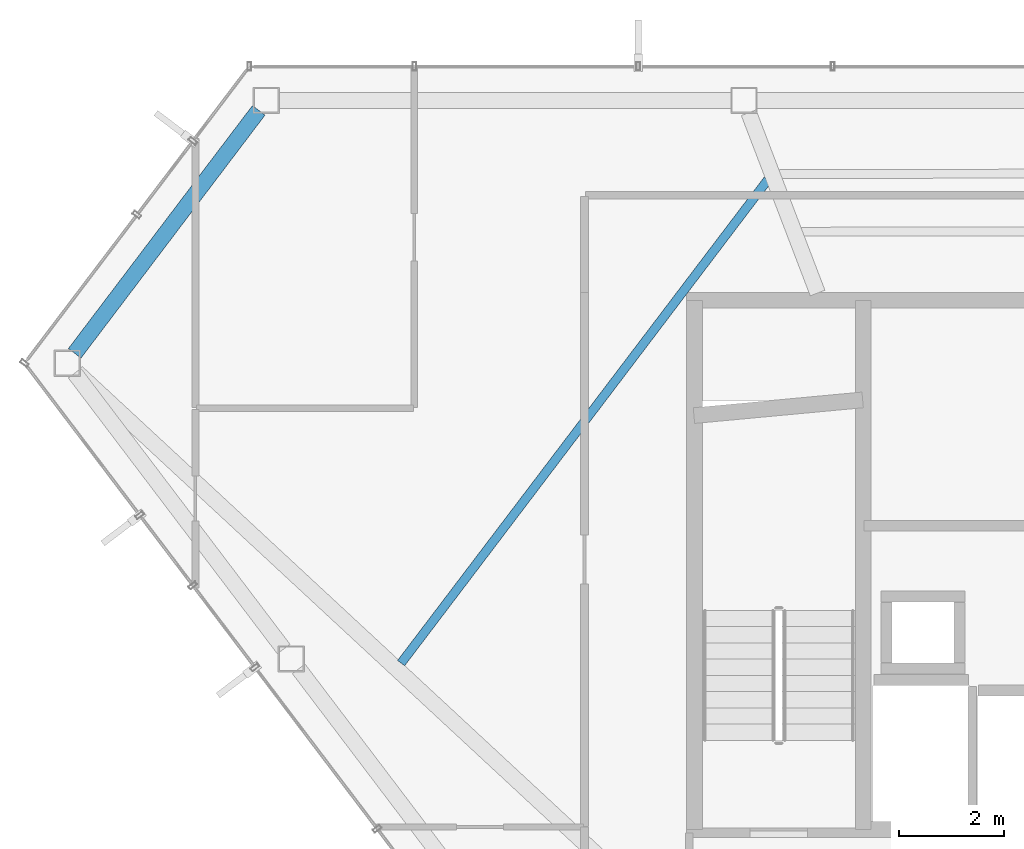
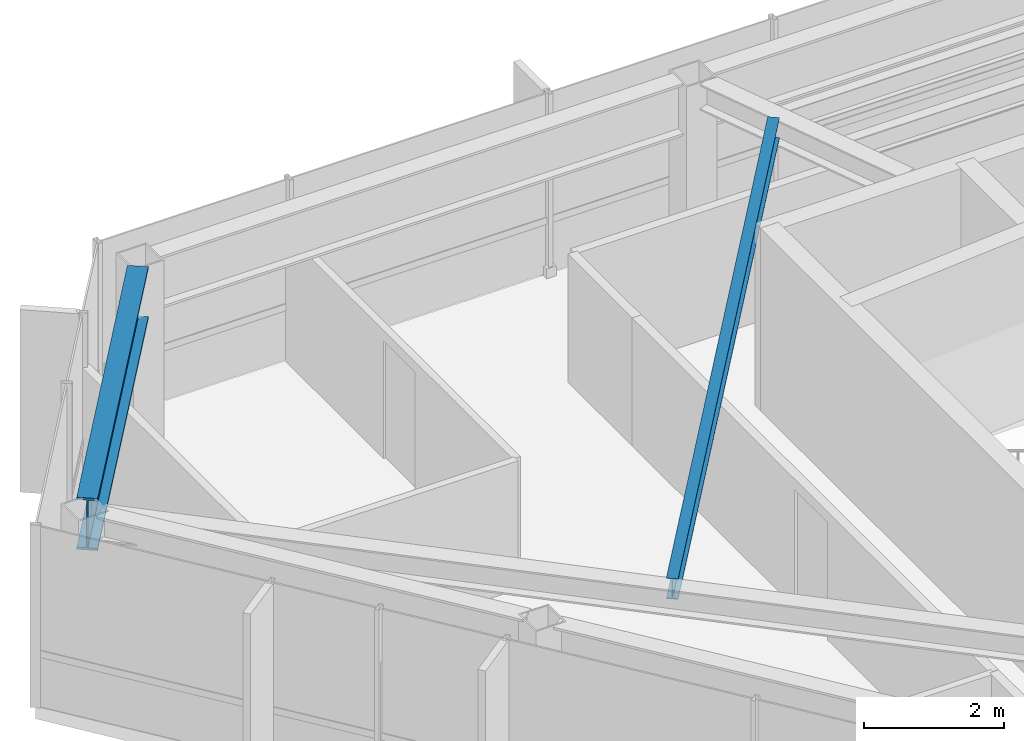
# One storey, part 9 of 26: 2 beams.
"""IFC4 building model written with IfcOpenShell, lengths in metres."""

from ifc_helpers import new_model, si_unit, direction, frame, origin, origin_2d, place, context, subcontext, project, spatial, i_section, extrude, material, material_profile, profile_set, type_object, element, save


model = new_model("IFC4")

# Units and contexts
model_context = context("Model", 3, precision=1e-05, world=origin(), true_north=direction((0.0, 1.0)))
body_context = subcontext(model_context, "Body", "Model", "MODEL_VIEW")
ifc_project = project(units=[si_unit("LENGTHUNIT", "METRE"), si_unit("AREAUNIT", "SQUARE_METRE"), si_unit("VOLUMEUNIT", "CUBIC_METRE"), si_unit("PLANEANGLEUNIT", "RADIAN"), si_unit("MASSUNIT", "GRAM", prefix="KILO")], contexts=[model_context])

# Site, building, storey
site_placement = place(None, origin())
site = spatial("IfcSite", under=ifc_project, at=site_placement, CompositionType="ELEMENT")
building_placement = place(site_placement, origin())
building = spatial("IfcBuilding", under=site, at=building_placement, Name="Zarrinselat Tower", CompositionType="ELEMENT")
storey_placement = place(building_placement, frame((0.0, 0.0, 258.39990234375)))
storey = spatial("IfcBuildingStorey", under=building, at=storey_placement, Name="L65", CompositionType="ELEMENT", Elevation=258.39990234375)

# Beams
ifc_material_1 = material(Name="Steel S460M", Category="steel")
ifc_material_profile_1 = material_profile(ifc_material_1, i_section(OverallWidth=0.302001953125, OverallDepth=0.909912109375, WebThickness=0.02099609375, FlangeThickness=0.0400390625, at=origin_2d()), Name="HEM 900")
ifc_profile_set_1 = profile_set([ifc_material_profile_1], Name="Steel S460M")
beam_type_1 = type_object("IfcBeamType", Name="BM-HEM900", PredefinedType="BEAM", material=ifc_profile_set_1)
beam_1_placement = place(storey_placement, frame((16.819091796875, 42.38916015625, 2.72509765625), z_axis=(0.603839915013, 0.797105612223, 0.0), x_axis=(-0.797105612223, 0.603839915013, 0.0)))
element("IfcBeam", 1, at=beam_1_placement, inside=storey, type_object=beam_type_1, Name="L65 Perimeter Spandrel Girder SP05", PredefinedType="BEAM", context=body_context, shape_type="SweptSolid", body=[
    extrude(i_section(OverallWidth=0.302001953125, OverallDepth=0.909912109375, WebThickness=0.02099609375, FlangeThickness=0.0400390625, at=origin_2d()), origin(), (0.0, 0.0, 1.0), 5.818359375),
])
ifc_material_2 = material(Name="Steel S355J2", Category="steel")
ifc_material_profile_2 = material_profile(ifc_material_2, i_section(OverallWidth=0.169921875, OverallDepth=0.360107421875, WebThickness=0.008056640625, FlangeThickness=0.0126953125, at=origin_2d()), Name="IPE 360")
ifc_profile_set_2 = profile_set([ifc_material_profile_2], Name="Steel S355J2")
beam_type_2 = type_object("IfcBeamType", Name="BM-IPE360", PredefinedType="JOIST", material=ifc_profile_set_2)
beam_2_placement = place(storey_placement, frame((23.050048828125, 36.475830078125, 3.0), z_axis=(0.604393865756, 0.796685668904, 0.0), x_axis=(-0.796685668904, 0.604393865756, 0.0)))
element("IfcBeam", 2, at=beam_2_placement, inside=storey, type_object=beam_type_2, Name="L65 Composite Floor Joist 9-1", PredefinedType="JOIST", context=body_context, shape_type="SweptSolid", body=[
    extrude(i_section(OverallWidth=0.169921875, OverallDepth=0.360107421875, WebThickness=0.008056640625, FlangeThickness=0.0126953125, at=origin_2d()), origin(), (0.0, 0.0, 1.0), 11.577880859375),
])

save(model, "model.ifc")
